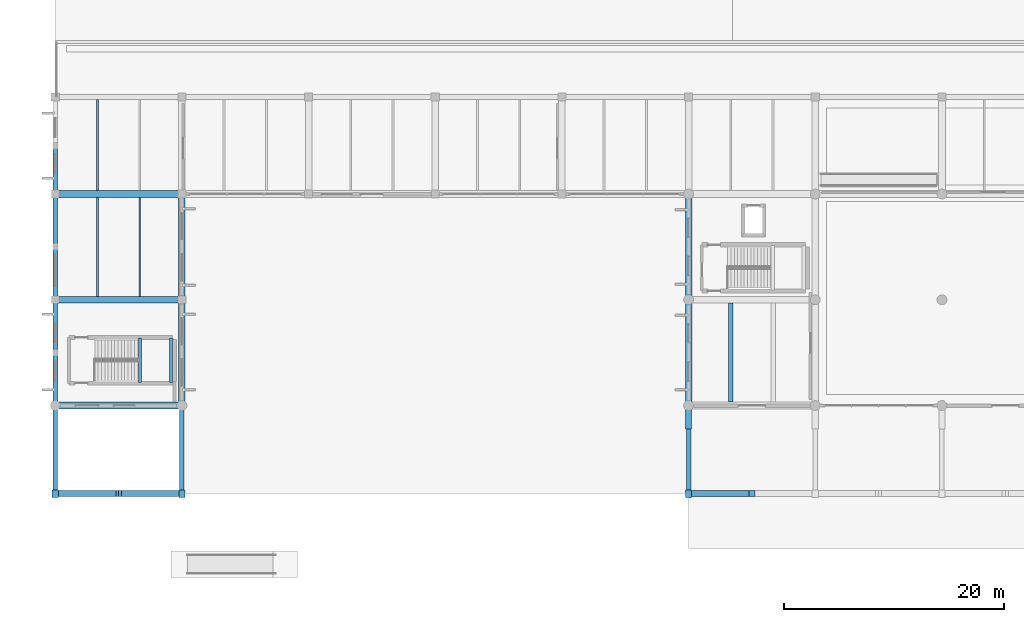
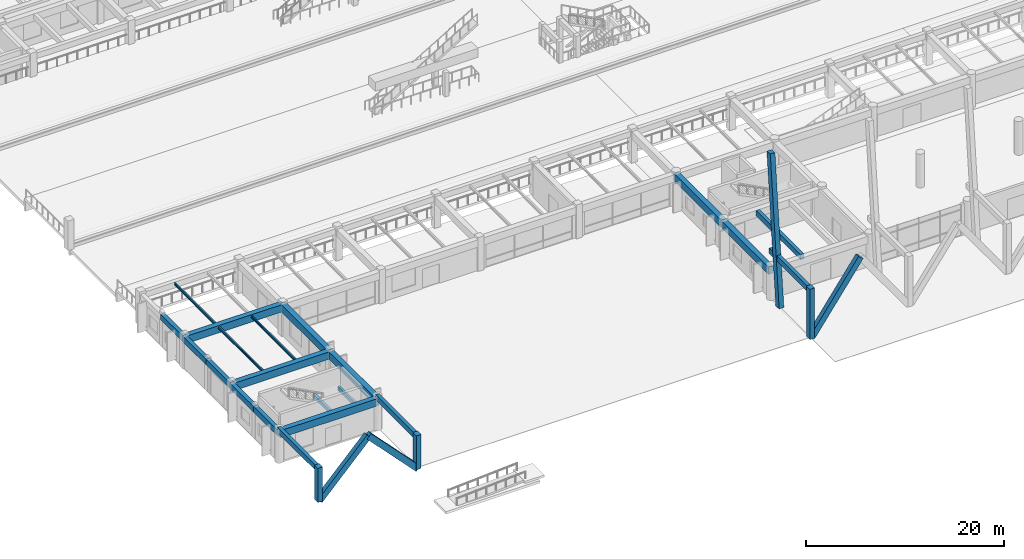
# One storey, part 3 of 109: 21 beams, 7 members.
"""IFC4 building model written with IfcOpenShell, lengths in metres."""

import ifcopenshell
import ifcopenshell.guid

model = None  # the IFC model being written
_history = None  # IfcOwnerHistory: only IFC2X3 demands one
_inside = {}  # id of a spatial element -> (the spatial element, [elements in it])
_under = {}  # id of a project, library or spatial element -> (it, [spatial elements below it])
_declared = {}  # id of a project -> (the project, [libraries it declares])
_typed = {}  # id of a type object -> (the type object, [elements of that type])
_made_of = {}  # id of a material, layer set ... -> (it, [elements and type objects made of it])


def new_model(schema):
    """Start an empty IFC model of exactly this schema.

    Asked for "IFC4X3", IfcOpenShell would pick the latest addendum, in which some entities
    have other attributes; the version numbers below select the first issue.
    IFC2X3 requires an IfcOwnerHistory on every rooted entity: one is made here for all.
    """
    global model, _history
    if schema == "IFC4X3":
        model = ifcopenshell.file(schema_version=(4, 3, 0, 0))
    else:
        model = ifcopenshell.file(schema=schema)
    _inside.clear()
    _under.clear()
    _declared.clear()
    _typed.clear()
    _made_of.clear()
    _history = None
    if model.schema == "IFC2X3":
        org = make("IfcOrganization", Name="unknown")
        user = make(
            "IfcPersonAndOrganization",
            ThePerson=make("IfcPerson", FamilyName="unknown"),
            TheOrganization=org,
        )
        app = make(
            "IfcApplication",
            ApplicationDeveloper=org,
            Version="unknown",
            ApplicationFullName="unknown",
            ApplicationIdentifier="unknown",
        )
        _history = make(
            "IfcOwnerHistory",
            OwningUser=user,
            OwningApplication=app,
            ChangeAction="ADDED",
            CreationDate=0,
        )
    return model


def make(cls, **values):
    """One entity of the class cls with the attributes given. An attribute that is None is left unset."""
    return model.create_entity(
        cls, **{name: value for name, value in values.items() if value is not None}
    )


def rooted(cls, **values):
    """An entity with a GlobalId (a new one), such as an element, a storey or a relation."""
    return make(cls, GlobalId=ifcopenshell.guid.new(), OwnerHistory=_history, **values)


def si_unit(unit_type, name, prefix=None):
    """IfcSIUnit, for example si_unit("LENGTHUNIT", "METRE", prefix="MILLI")."""
    return make("IfcSIUnit", UnitType=unit_type, Prefix=prefix, Name=name)


def assignment(units):
    """IfcUnitAssignment: the units of a project."""
    return None if units is None else make("IfcUnitAssignment", Units=units)


def point(xyz):
    """IfcCartesianPoint."""
    return None if xyz is None else make("IfcCartesianPoint", Coordinates=xyz)


def direction(xyz):
    """IfcDirection."""
    return None if xyz is None else make("IfcDirection", DirectionRatios=xyz)


def frame(location, z_axis=None, x_axis=None):
    """IfcAxis2Placement3D, a coordinate frame: its origin and axes. An axis left out is left unset."""
    return make(
        "IfcAxis2Placement3D",
        Location=point(location),
        Axis=direction(z_axis),
        RefDirection=direction(x_axis),
    )


def frame_2d(location, x_axis=None):
    """IfcAxis2Placement2D, a coordinate frame in the plane: its origin and x axis."""
    return make(
        "IfcAxis2Placement2D", Location=point(location), RefDirection=direction(x_axis)
    )


def origin():
    """The frame at (0, 0, 0) with its axes left unset."""
    return frame((0.0, 0.0, 0.0))


def origin_2d():
    """The frame at (0, 0) in the plane with its x axis left unset."""
    return frame_2d((0.0, 0.0))


def place(relative_to, where):
    """IfcLocalPlacement: puts the frame where relative to a parent placement (None: the world)."""
    return make(
        "IfcLocalPlacement", PlacementRelTo=relative_to, RelativePlacement=where
    )


def context(
    kind, dimensions, precision=None, world=None, true_north=None, identifier=None
):
    """IfcGeometricRepresentationContext, for example the 3D "Model" context."""
    return make(
        "IfcGeometricRepresentationContext",
        ContextIdentifier=identifier,
        ContextType=kind,
        CoordinateSpaceDimension=dimensions,
        Precision=precision,
        WorldCoordinateSystem=world,
        TrueNorth=true_north,
    )


def subcontext(parent, identifier, kind, view, scale=None):
    """IfcGeometricRepresentationSubContext, for example "Body" below "Model"."""
    return make(
        "IfcGeometricRepresentationSubContext",
        ContextIdentifier=identifier,
        ContextType=kind,
        ParentContext=parent,
        TargetScale=scale,
        TargetView=view,
    )


def project(units=None, contexts=None):
    """IfcProject with its units and contexts."""
    return rooted(
        "IfcProject",
        Name="project",
        RepresentationContexts=contexts,
        UnitsInContext=assignment(units),
    )


def spatial(cls, under=None, at=None, **own):
    """A site, building, storey or space (cls), placed at a placement, below another one or the project."""
    s = rooted(cls, ObjectPlacement=at, **own)
    if under is not None:
        _under.setdefault(under.id(), (under, []))[1].append(s)
    return s


def profile(cls, at=None, kind="AREA", **sizes):
    """A parametric profile (cls). Its sizes go by their IFC names, for example OverallWidth=200.0."""
    return make(cls, ProfileType=kind, Position=at, **sizes)


def rectangle(**sizes):
    """IfcRectangleProfileDef."""
    return profile("IfcRectangleProfileDef", **sizes)


def i_section(**sizes):
    """IfcIShapeProfileDef."""
    return profile("IfcIShapeProfileDef", **sizes)


def extrude(swept, where, along, depth):
    """IfcExtrudedAreaSolid: the profile swept, set in the frame where, extruded along a direction by depth."""
    return make(
        "IfcExtrudedAreaSolid",
        SweptArea=swept,
        Position=where,
        ExtrudedDirection=direction(along),
        Depth=depth,
    )


def shape(context_of_items, identifier, shape_type, items):
    """IfcShapeRepresentation: the items that make up one representation, for example the "Body"."""
    return make(
        "IfcShapeRepresentation",
        ContextOfItems=context_of_items,
        RepresentationIdentifier=identifier,
        RepresentationType=shape_type,
        Items=items,
    )


def material(Name=None, Category=None):
    """IfcMaterial."""
    return make("IfcMaterial", Name=Name, Category=Category)


def material_profile(
    of_material, cross_section, Name=None, Category=None, Priority=None
):
    """IfcMaterialProfile: a cross section and its material."""
    return make(
        "IfcMaterialProfile",
        Name=Name,
        Material=of_material,
        Profile=cross_section,
        Priority=Priority,
        Category=Category,
    )


def profile_set(profiles, Name=None, composite=None):
    """IfcMaterialProfileSet."""
    return make(
        "IfcMaterialProfileSet",
        Name=Name,
        MaterialProfiles=profiles,
        CompositeProfile=composite,
    )


def made_of(thing, what):
    """Note that an element or type object is made of a material, layer set ...; save() writes the relation."""
    if what is not None:
        _made_of.setdefault(what.id(), (what, []))[1].append(thing)
    return thing


def type_object(cls, material=None, **own):
    """A type object (cls), such as IfcWallType, which elements share."""
    return made_of(rooted(cls, **own), material)


def element(
    cls,
    number,
    at=None,
    inside=None,
    cuts=None,
    type_object=None,
    material=None,
    context=None,
    identifier="Body",
    shape_type=None,
    held_by="IfcProductDefinitionShape",
    body=None,
    shapes=None,
    **own,
):
    """One element of the class cls, such as IfcWall. Its Tag is "e" and its number.

    at: its placement. inside: the storey or other place that contains it. cuts: it is an
    opening in that element (IfcRelVoidsElement). A single representation is given by context,
    identifier, shape_type and body (its items); several are given by shapes. held_by: the class
    of the entity that holds the representations. save() writes the other relations.
    """
    e = rooted(cls, Tag="e%d" % number, ObjectPlacement=at, **own)
    if body is not None:
        shapes = [shape(context, identifier, shape_type, body)]
    if shapes is not None:
        e.Representation = make(held_by, Representations=shapes)
    if inside is not None:
        _inside.setdefault(inside.id(), (inside, []))[1].append(e)
    if cuts is not None:
        rooted(
            "IfcRelVoidsElement", RelatingBuildingElement=cuts, RelatedOpeningElement=e
        )
    if type_object is not None:
        _typed.setdefault(type_object.id(), (type_object, []))[1].append(e)
    return made_of(e, material)


def aggregate(whole, parts):
    """IfcRelAggregates: a whole, such as a stair, and the parts it consists of."""
    return rooted("IfcRelAggregates", RelatingObject=whole, RelatedObjects=parts)


def save(model, path):
    """Write the relations noted so far, then the file.

    IfcRelAggregates (storeys below a building ...), IfcRelContainedInSpatialStructure (elements
    in a storey), IfcRelDefinesByType, IfcRelAssociatesMaterial and IfcRelDeclares: one each for
    every whole, place, type object, material and project.
    """
    for whole, parts in _under.values():
        aggregate(whole, parts)
    for where, things in _inside.values():
        rooted(
            "IfcRelContainedInSpatialStructure",
            RelatedElements=things,
            RelatingStructure=where,
        )
    for kind, things in _typed.values():
        rooted("IfcRelDefinesByType", RelatedObjects=things, RelatingType=kind)
    for what, things in _made_of.values():
        rooted("IfcRelAssociatesMaterial", RelatedObjects=things, RelatingMaterial=what)
    for by, libraries in _declared.values():
        rooted("IfcRelDeclares", RelatingContext=by, RelatedDefinitions=libraries)
    model.write(path)


model = new_model("IFC4")

# Units and contexts
model_context = context("Model", 3, precision=1e-05, world=origin(), true_north=direction((0.0, 1.0)))
body_context = subcontext(model_context, "Body", "Model", "MODEL_VIEW")
ifc_project = project(units=[si_unit("LENGTHUNIT", "METRE"), si_unit("AREAUNIT", "SQUARE_METRE"), si_unit("VOLUMEUNIT", "CUBIC_METRE"), si_unit("PLANEANGLEUNIT", "RADIAN"), si_unit("MASSUNIT", "GRAM", prefix="KILO")], contexts=[model_context])

# Site, building, storey
site_placement = place(None, origin())
site = spatial("IfcSite", under=ifc_project, at=site_placement, CompositionType="ELEMENT")
building_placement = place(site_placement, origin())
building = spatial("IfcBuilding", under=site, at=building_placement, Name="Ologun Quay Terminus", CompositionType="ELEMENT")
storey_placement = place(building_placement, origin())
storey = spatial("IfcBuildingStorey", under=building, at=storey_placement, Name="L00", CompositionType="ELEMENT", Elevation=0.0)

# Beams
ifc_material_1 = material(Name="Concrete C40/50", Category="concrete")
ifc_material_profile_1 = material_profile(ifc_material_1, rectangle(XDim=0.300048828125, YDim=0.449951171875, at=origin_2d()), Name="RC 300x450")
ifc_profile_set_1 = profile_set([ifc_material_profile_1], Name="Concrete C40/50")
beam_type_1 = type_object("IfcBeamType", Name="Core Coupling Lintel Beam 300x450", PredefinedType="LINTEL", material=ifc_profile_set_1)
for number, where, z_axis, x_axis, name in (
    (1, (7.68994140625, 10.080078125, 1.695068359375), (0.0, 1.0, 0.0), (-1.0, 0.0, 0.0), "LN1 Half-Landing Ledger Beam ST-S1-W L00"),
    (2, (10.510009765625, 10.080078125, 1.695068359375), (0.0, 1.0, 0.0), (-1.0, 0.0, 0.0), "LN1 Half-Landing Ledger Beam ST-S1-E L00"),
):
    element("IfcBeam", number, at=place(storey_placement, frame(where, z_axis=z_axis, x_axis=x_axis)), inside=storey, type_object=beam_type_1, Name=name, PredefinedType="LINTEL", context=body_context, shape_type="SweptSolid", body=[
        extrude(rectangle(XDim=0.300048828125, YDim=0.449951171875, at=origin_2d()), origin(), (0.0, 0.0, 1.0), 4.0400390625),
    ])

# Members
ifc_material_2 = material(Name="Concrete C45/55", Category="concrete")
ifc_material_profile_2 = material_profile(ifc_material_2, rectangle(XDim=0.550048828125, YDim=0.699951171875, at=origin_2d()), Name="RC 550x700")
ifc_profile_set_2 = profile_set([ifc_material_profile_2], Name="Concrete C45/55")
member_type = type_object("IfcMemberType", Name="Folded Canopy Concrete V-Strut 550x700", PredefinedType="STRUT", material=ifc_profile_set_2)
member_1_placement = place(storey_placement, frame((57.5, 6.199951171875, 0.0), z_axis=(0.0, 0.099178744049, 0.995069634111), x_axis=(-1.0, 0.0, 0.0)))
element("IfcMember", 3, at=member_1_placement, inside=storey, type_object=member_type, Name="VS2 Raked Concrete Portal Rib 6/B", PredefinedType="STRUT", context=body_context, shape_type="SweptSolid", body=[
    extrude(rectangle(XDim=0.550048828125, YDim=0.699951171875, at=origin_2d()), origin(), (0.0, 0.0, 1.0), 18.149658203125),
])
for number, where, z_axis, x_axis, name in (
    (4, (0.0, 0.0, 0.0), (0.0, 0.0, 1.0), (1.0, 0.0, 0.0), "VS2 Canopy Pier 1/A"),
    (5, (11.5, 0.0, 0.0), (0.0, 0.0, 1.0), (1.0, 0.0, 0.0), "VS2 Canopy Pier 2/A"),
):
    element("IfcMember", number, at=place(storey_placement, frame(where, z_axis=z_axis, x_axis=x_axis)), inside=storey, type_object=member_type, Name=name, PredefinedType="STRUT", context=body_context, shape_type="SweptSolid", body=[
        extrude(rectangle(XDim=0.550048828125, YDim=0.699951171875, at=origin_2d()), origin(), (0.0, 0.0, 1.0), 4.219970703125),
    ])
for number, where, z_axis, x_axis, name in (
    (6, (0.0, 0.0, 0.0), (0.69070309775, 0.0, 0.723138458913), (0.0, 1.0, 0.0), "VS2 Canopy Strut 1/A-E"),
    (7, (11.5, 0.0, 0.0), (-0.69070309775, 0.0, 0.723138458913), (0.0, -1.0, 0.0), "VS2 Canopy Strut 2/A-W"),
):
    element("IfcMember", number, at=place(storey_placement, frame(where, z_axis=z_axis, x_axis=x_axis)), inside=storey, type_object=member_type, Name=name, PredefinedType="STRUT", context=body_context, shape_type="SweptSolid", body=[
        extrude(rectangle(XDim=0.550048828125, YDim=0.699951171875, at=origin_2d()), origin(), (0.0, 0.0, 1.0), 8.324951171875),
    ])
member_2_placement = place(storey_placement, frame((57.5, 0.0, 0.0), z_axis=(0.0, 0.0, 1.0), x_axis=(1.0, 0.0, 0.0)))
element("IfcMember", 8, at=member_2_placement, inside=storey, type_object=member_type, Name="VS2 Canopy Pier 6/A", PredefinedType="STRUT", context=body_context, shape_type="SweptSolid", body=[
    extrude(rectangle(XDim=0.550048828125, YDim=0.699951171875, at=origin_2d()), origin(), (0.0, 0.0, 1.0), 6.219970703125),
])
member_3_placement = place(storey_placement, frame((57.5, 0.0, 0.0), z_axis=(0.582674207859, 0.0, 0.812705830849), x_axis=(0.0, 1.0, 0.0)))
element("IfcMember", 9, at=member_3_placement, inside=storey, type_object=member_type, Name="VS2 Canopy Strut 6/A-E", PredefinedType="STRUT", context=body_context, shape_type="SweptSolid", body=[
    extrude(rectangle(XDim=0.550048828125, YDim=0.699951171875, at=origin_2d()), origin(), (0.0, 0.0, 1.0), 9.868408203125),
])

# Beams
ifc_material_3 = material(Name="Steel S355", Category="steel")
ifc_material_profile_3 = material_profile(ifc_material_3, i_section(OverallWidth=0.1650390625, OverallDepth=0.303466796875, WebThickness=0.006103515625, FlangeThickness=0.01025390625, at=origin_2d()), Name="UKB 305x165x40")
ifc_profile_set_3 = profile_set([ifc_material_profile_3], Name="Steel S355")
beam_type_2 = type_object("IfcBeamType", Name="Mezzanine Steel Joist UKB305", PredefinedType="JOIST", material=ifc_profile_set_3)
for number, where, z_axis, x_axis, name in (
    (10, (3.833251953125, 17.89990234375, 3.748291015625), (0.0, 1.0, 0.0), (-1.0, 0.0, 0.0), "SJ1 Beam 1/C L00"),
    (11, (7.666748046875, 17.89990234375, 3.748291015625), (0.0, 1.0, 0.0), (-1.0, 0.0, 0.0), "SJ1 Beam 1/C L00"),
):
    element("IfcBeam", number, at=place(storey_placement, frame(where, z_axis=z_axis, x_axis=x_axis)), inside=storey, type_object=beam_type_2, Name=name, PredefinedType="JOIST", context=body_context, shape_type="SweptSolid", body=[
        extrude(i_section(OverallWidth=0.1650390625, OverallDepth=0.303466796875, WebThickness=0.006103515625, FlangeThickness=0.01025390625, at=origin_2d()), origin(), (0.0, 0.0, 1.0), 9.0),
    ])
beam_1_placement = place(storey_placement, frame((3.833251953125, 27.5, 3.748291015625), z_axis=(0.0, 1.0, 0.0), x_axis=(-1.0, 0.0, 0.0)))
element("IfcBeam", 12, at=beam_1_placement, inside=storey, type_object=beam_type_2, Name="SJ1 Beam 1/D L00", PredefinedType="JOIST", context=body_context, shape_type="SweptSolid", body=[
    extrude(i_section(OverallWidth=0.1650390625, OverallDepth=0.303466796875, WebThickness=0.006103515625, FlangeThickness=0.01025390625, at=origin_2d()), origin(), (0.0, 0.0, 1.0), 8.27490234375),
])
ifc_material_4 = material(Name="Concrete C40/50", Category="concrete")
ifc_material_profile_4 = material_profile(ifc_material_4, rectangle(XDim=0.449951171875, YDim=0.699951171875, at=origin_2d()), Name="RC 450x700")
ifc_profile_set_4 = profile_set([ifc_material_profile_4], Name="Concrete C40/50")
beam_type_3 = type_object("IfcBeamType", Name="Perimeter Spandrel Beam 450x700", PredefinedType="SPANDREL", material=ifc_profile_set_4)
for number, where, z_axis, x_axis, name in (
    (13, (0.0, 8.0, 3.550048828125), (0.0, 1.0, 0.0), (-1.0, 0.0, 0.0), "SP1 Beam 1/B L00"),
    (14, (0.0, 12.800048828125, 3.550048828125), (0.0, 1.0, 0.0), (-1.0, 0.0, 0.0), "SP1 Beam 1/B L00"),
):
    element("IfcBeam", number, at=place(storey_placement, frame(where, z_axis=z_axis, x_axis=x_axis)), inside=storey, type_object=beam_type_3, Name=name, PredefinedType="SPANDREL", context=body_context, shape_type="SweptSolid", body=[
        extrude(rectangle(XDim=0.449951171875, YDim=0.699951171875, at=origin_2d()), origin(), (0.0, 0.0, 1.0), 4.800048828125),
    ])
beam_2_placement = place(storey_placement, frame((0.0, 17.60009765625, 3.550048828125), z_axis=(0.0, 1.0, 0.0), x_axis=(-1.0, 0.0, 0.0)))
element("IfcBeam", 15, at=beam_2_placement, inside=storey, type_object=beam_type_3, Name="SP1 Beam 1/C L00", PredefinedType="SPANDREL", context=body_context, shape_type="SweptSolid", body=[
    extrude(rectangle(XDim=0.449951171875, YDim=0.699951171875, at=origin_2d()), origin(), (0.0, 0.0, 1.0), 4.7998046875),
])
beam_3_placement = place(storey_placement, frame((0.0, 22.39990234375, 3.550048828125), z_axis=(0.0, 1.0, 0.0), x_axis=(-1.0, 0.0, 0.0)))
element("IfcBeam", 16, at=beam_3_placement, inside=storey, type_object=beam_type_3, Name="SP1 Beam 1/C L00", PredefinedType="SPANDREL", context=body_context, shape_type="SweptSolid", body=[
    extrude(rectangle(XDim=0.449951171875, YDim=0.699951171875, at=origin_2d()), origin(), (0.0, 0.0, 1.0), 4.800048828125),
])
beam_4_placement = place(storey_placement, frame((0.0, 27.199951171875, 3.550048828125), z_axis=(0.0, 1.0, 0.0), x_axis=(-1.0, 0.0, 0.0)))
element("IfcBeam", 17, at=beam_4_placement, inside=storey, type_object=beam_type_3, Name="SP1 Beam 1/D L00", PredefinedType="SPANDREL", context=body_context, shape_type="SweptSolid", body=[
    extrude(rectangle(XDim=0.449951171875, YDim=0.699951171875, at=origin_2d()), origin(), (0.0, 0.0, 1.0), 4.400146484375),
])
ifc_material_5 = material(Name="Concrete C40/50", Category="concrete")
ifc_material_profile_5 = material_profile(ifc_material_5, rectangle(XDim=0.60009765625, YDim=0.89990234375, at=origin_2d()), Name="RC 600x900")
ifc_profile_set_5 = profile_set([ifc_material_profile_5], Name="Concrete C40/50")
beam_type_4 = type_object("IfcBeamType", Name="Station Frame Girder 600x900", PredefinedType="BEAM", material=ifc_profile_set_5)
for number, where, z_axis, x_axis, name in (
    (18, (0.0, 8.0, 3.449951171875), (1.0, 0.0, 0.0), (0.0, 1.0, 0.0), "B3 Beam 1/B L00"),
    (19, (0.0, 17.60009765625, 3.449951171875), (1.0, 0.0, 0.0), (0.0, 1.0, 0.0), "B3 Beam 1/C L00"),
    (20, (0.0, 27.199951171875, 3.449951171875), (1.0, 0.0, 0.0), (0.0, 1.0, 0.0), "B3 Beam 1/D L00"),
):
    element("IfcBeam", number, at=place(storey_placement, frame(where, z_axis=z_axis, x_axis=x_axis)), inside=storey, type_object=beam_type_4, Name=name, PredefinedType="BEAM", context=body_context, shape_type="SweptSolid", body=[
        extrude(rectangle(XDim=0.60009765625, YDim=0.89990234375, at=origin_2d()), origin(), (0.0, 0.0, 1.0), 11.5),
    ])
beam_5_placement = place(storey_placement, frame((11.5, 8.0, 3.449951171875), z_axis=(0.0, 1.0, 0.0), x_axis=(-1.0, 0.0, 0.0)))
element("IfcBeam", 21, at=beam_5_placement, inside=storey, type_object=beam_type_4, Name="B3 Beam 2/B L00", PredefinedType="BEAM", context=body_context, shape_type="SweptSolid", body=[
    extrude(rectangle(XDim=0.60009765625, YDim=0.89990234375, at=origin_2d()), origin(), (0.0, 0.0, 1.0), 9.60009765625),
])
beam_6_placement = place(storey_placement, frame((11.5, 17.60009765625, 3.449951171875), z_axis=(0.0, 1.0, 0.0), x_axis=(-1.0, 0.0, 0.0)))
element("IfcBeam", 22, at=beam_6_placement, inside=storey, type_object=beam_type_4, Name="B3 Beam 2/C L00", PredefinedType="BEAM", context=body_context, shape_type="SweptSolid", body=[
    extrude(rectangle(XDim=0.60009765625, YDim=0.89990234375, at=origin_2d()), origin(), (0.0, 0.0, 1.0), 9.599853515625),
])
beam_7_placement = place(storey_placement, frame((57.5, 8.0, 3.449951171875), z_axis=(0.0, 1.0, 0.0), x_axis=(-1.0, 0.0, 0.0)))
element("IfcBeam", 23, at=beam_7_placement, inside=storey, type_object=beam_type_4, Name="B3 Beam 6/B L00", PredefinedType="BEAM", context=body_context, shape_type="SweptSolid", body=[
    extrude(rectangle(XDim=0.60009765625, YDim=0.89990234375, at=origin_2d()), origin(), (0.0, 0.0, 1.0), 9.60009765625),
])
beam_8_placement = place(storey_placement, frame((57.5, 17.60009765625, 3.449951171875), z_axis=(0.0, 1.0, 0.0), x_axis=(-1.0, 0.0, 0.0)))
element("IfcBeam", 24, at=beam_8_placement, inside=storey, type_object=beam_type_4, Name="B3 Beam 6/C L00", PredefinedType="BEAM", context=body_context, shape_type="SweptSolid", body=[
    extrude(rectangle(XDim=0.60009765625, YDim=0.89990234375, at=origin_2d()), origin(), (0.0, 0.0, 1.0), 9.599853515625),
])
ifc_material_6 = material(Name="Concrete C40/50", Category="concrete")
ifc_material_profile_6 = material_profile(ifc_material_6, rectangle(XDim=0.39990234375, YDim=0.64990234375, at=origin_2d()), Name="RC 400x650")
ifc_profile_set_6 = profile_set([ifc_material_profile_6], Name="Concrete C40/50")
beam_type_5 = type_object("IfcBeamType", Name="Station Secondary Joist 400x650", PredefinedType="JOIST", material=ifc_profile_set_6)
beam_9_placement = place(storey_placement, frame((61.333251953125, 8.300048828125, 3.574951171875), z_axis=(0.0, 1.0, 0.0), x_axis=(-1.0, 0.0, 0.0)))
element("IfcBeam", 25, at=beam_9_placement, inside=storey, type_object=beam_type_5, Name="J1 Beam 6/B L00", PredefinedType="JOIST", context=body_context, shape_type="SweptSolid", body=[
    extrude(rectangle(XDim=0.39990234375, YDim=0.64990234375, at=origin_2d()), origin(), (0.0, 0.0, 1.0), 9.0),
])
for number, where, z_axis, x_axis, name in (
    (26, (0.0, 0.0, 3.89501953125), (0.0, 1.0, 0.0), (-1.0, 0.0, 0.0), "J1 Beam 1/A L00"),
    (27, (11.5, 0.0, 3.89501953125), (0.0, 1.0, 0.0), (-1.0, 0.0, 0.0), "J1 Beam 2/A L00"),
    (28, (57.5, 0.0, 5.89501953125), (0.0, 1.0, 0.0), (-1.0, 0.0, 0.0), "J1 Beam 6/A L00"),
):
    element("IfcBeam", number, at=place(storey_placement, frame(where, z_axis=z_axis, x_axis=x_axis)), inside=storey, type_object=beam_type_5, Name=name, PredefinedType="JOIST", context=body_context, shape_type="SweptSolid", body=[
        extrude(rectangle(XDim=0.39990234375, YDim=0.64990234375, at=origin_2d()), origin(), (0.0, 0.0, 1.0), 8.0),
    ])

save(model, "model.ifc")
